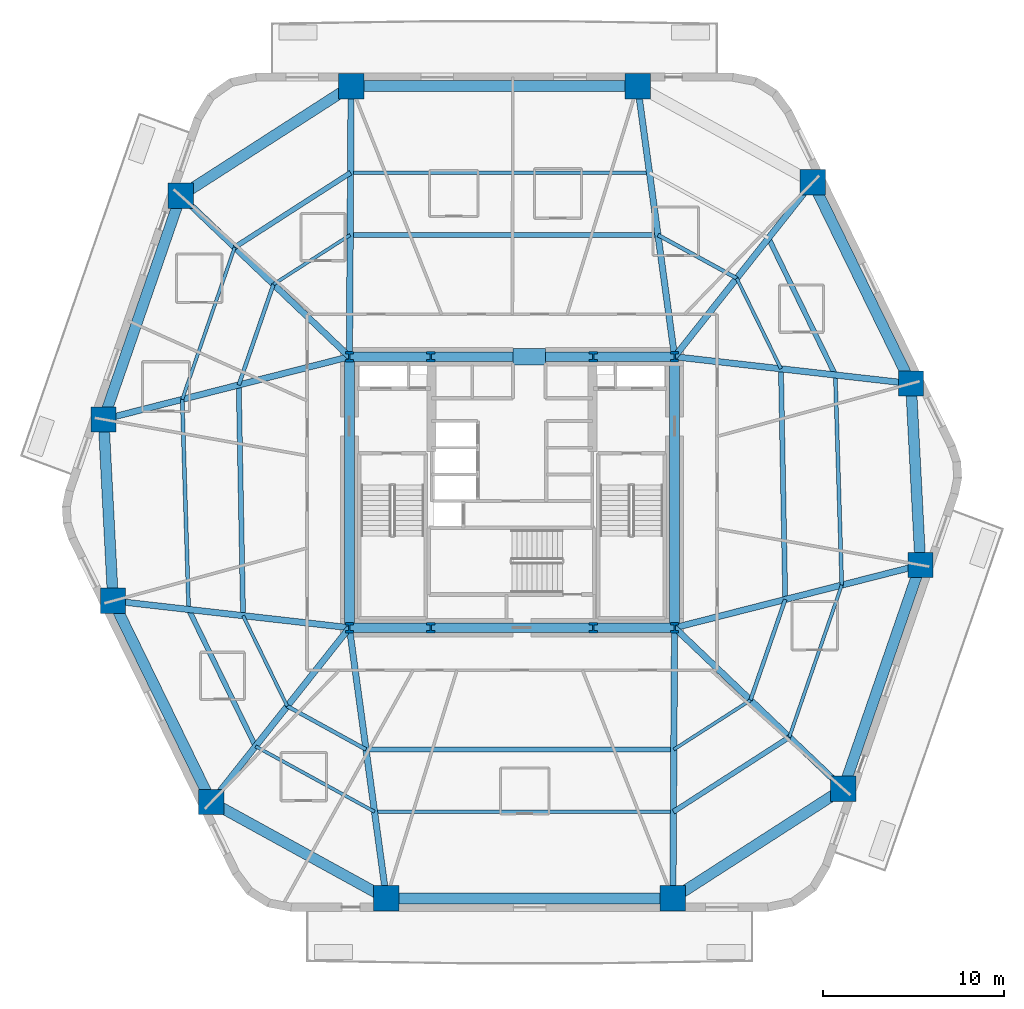
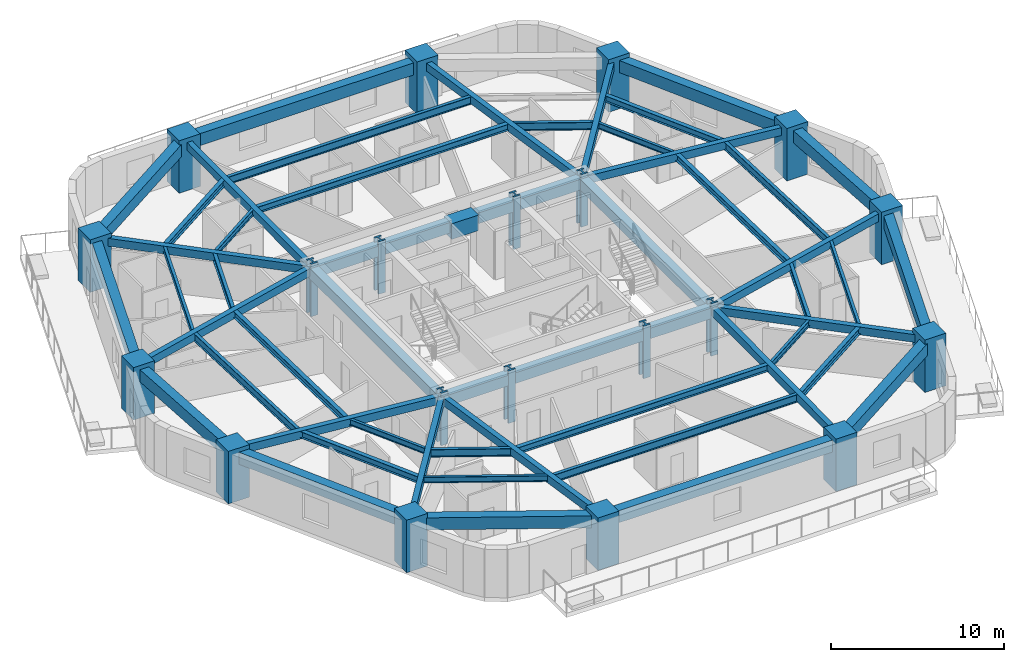
# One storey, part 1 of 10: 55 beams, 20 columns.
"""IFC4 building model written with IfcOpenShell, lengths in metres."""

from ifc_helpers import new_model, si_unit, direction, frame, origin, origin_2d, place, context, subcontext, project, spatial, rectangle, i_section, extrude, material, material_profile, profile_set, type_object, element, save


model = new_model("IFC4")

# Units and contexts
model_context = context("Model", 3, precision=1e-05, world=origin(), true_north=direction((0.0, 1.0)))
body_context = subcontext(model_context, "Body", "Model", "MODEL_VIEW")
ifc_project = project(units=[si_unit("LENGTHUNIT", "METRE"), si_unit("AREAUNIT", "SQUARE_METRE"), si_unit("VOLUMEUNIT", "CUBIC_METRE"), si_unit("PLANEANGLEUNIT", "RADIAN"), si_unit("MASSUNIT", "GRAM", prefix="KILO")], contexts=[model_context])

# Site, building, storey
site_placement = place(None, origin())
site = spatial("IfcSite", under=ifc_project, at=site_placement, CompositionType="ELEMENT")
building_placement = place(site_placement, origin())
building = spatial("IfcBuilding", under=site, at=building_placement, Name="Kilnhurst Terrace Hotel", CompositionType="ELEMENT")
storey_placement = place(building_placement, frame((0.0, 0.0, 67.5)))
storey = spatial("IfcBuildingStorey", under=building, at=storey_placement, Name="L15", CompositionType="ELEMENT", Elevation=67.5)

# Columns
ifc_material_1 = material(Name="Concrete C80/95", Category="concrete")
ifc_material_profile_1 = material_profile(ifc_material_1, rectangle(XDim=1.39990234375, YDim=1.39990234375, at=origin_2d()), Name="RC1400X1400")
ifc_profile_set_1 = profile_set([ifc_material_profile_1], Name="Concrete C80/95")
column_type_1 = type_object("IfcColumnType", Name="COL-RC-1400", PredefinedType="COLUMN", material=ifc_profile_set_1)
for number, where, z_axis, x_axis, name in (
    (1, (-6.955078125, -22.47998046875, 0.0), (0.0, 0.0, 1.0), (1.0, 0.0, 0.0), "L15 Structural Column PC-F11"),
    (2, (8.905029296875, -22.47998046875, 0.0), (0.0, 0.0, 1.0), (1.0, 0.0, 0.0), "L15 Structural Column PC-F12"),
    (3, (18.337890625, -16.410888671875, 0.0), (0.0, 0.0, 1.0), (1.0, 0.0, 0.0), "L15 Structural Column PC-F21"),
    (4, (22.60888671875, -4.029052734375, 0.0), (0.0, 0.0, 1.0), (1.0, 0.0, 0.0), "L15 Structural Column PC-F22"),
    (5, (22.083984375, 6.013916015625, 0.0), (0.0, 0.0, 1.0), (1.0, 0.0, 0.0), "L15 Structural Column PC-F31"),
    (6, (16.64306640625, 17.152099609375, 0.0), (0.0, 0.0, 1.0), (1.0, 0.0, 0.0), "L15 Structural Column PC-F32"),
    (7, (6.955078125, 22.47998046875, 0.0), (0.0, 0.0, 1.0), (1.0, 0.0, 0.0), "L15 Structural Column PC-F41"),
    (8, (-8.905029296875, 22.47998046875, 0.0), (0.0, 0.0, 1.0), (1.0, 0.0, 0.0), "L15 Structural Column PC-F42"),
    (9, (-18.337890625, 16.410888671875, 0.0), (0.0, 0.0, 1.0), (1.0, 0.0, 0.0), "L15 Structural Column PC-F51"),
    (10, (-22.60888671875, 4.029052734375, 0.0), (0.0, 0.0, 1.0), (1.0, 0.0, 0.0), "L15 Structural Column PC-F52"),
    (11, (-22.083984375, -6.013916015625, 0.0), (0.0, 0.0, 1.0), (1.0, 0.0, 0.0), "L15 Structural Column PC-F61"),
    (12, (-16.64306640625, -17.152099609375, 0.0), (0.0, 0.0, 1.0), (1.0, 0.0, 0.0), "L15 Structural Column PC-F62"),
):
    element("IfcColumn", number, at=place(storey_placement, frame(where, z_axis=z_axis, x_axis=x_axis)), inside=storey, type_object=column_type_1, Name=name, PredefinedType="COLUMN", context=body_context, shape_type="SweptSolid", body=[
        extrude(rectangle(XDim=1.39990234375, YDim=1.39990234375, at=origin_2d()), origin(), (0.0, 0.0, 1.0), 3.699951171875),
    ])
ifc_material_2 = material(Name="Steel ASTM A992 Grade 50", Category="steel")
ifc_material_profile_2 = material_profile(ifc_material_2, i_section(OverallWidth=0.454345703125, OverallDepth=0.569091796875, WebThickness=0.077880859375, FlangeThickness=0.124755859375, at=origin_2d()), Name="W14X730")
ifc_profile_set_2 = profile_set([ifc_material_profile_2], Name="Steel ASTM A992 Grade 50")
column_type_2 = type_object("IfcColumnType", Name="COL-STL-W14X730", PredefinedType="COLUMN", material=ifc_profile_set_2)
for number, where, z_axis, x_axis, name in (
    (13, (-9.0, -7.5, 0.0), (0.0, 0.0, 1.0), (1.0, 0.0, 0.0), "L15 Structural Column CC-SW"),
    (14, (-4.5, -7.5, 0.0), (0.0, 0.0, 1.0), (1.0, 0.0, 0.0), "L15 Structural Column CC-SC1"),
    (15, (4.5, -7.5, 0.0), (0.0, 0.0, 1.0), (1.0, 0.0, 0.0), "L15 Structural Column CC-SC2"),
    (16, (9.0, -7.5, 0.0), (0.0, 0.0, 1.0), (1.0, 0.0, 0.0), "L15 Structural Column CC-SE"),
    (17, (9.0, 7.5, 0.0), (0.0, 0.0, 1.0), (1.0, 0.0, 0.0), "L15 Structural Column CC-NE"),
    (18, (4.5, 7.5, 0.0), (0.0, 0.0, 1.0), (1.0, 0.0, 0.0), "L15 Structural Column CC-NC2"),
    (19, (-4.5, 7.5, 0.0), (0.0, 0.0, 1.0), (1.0, 0.0, 0.0), "L15 Structural Column CC-NC1"),
    (20, (-9.0, 7.5, 0.0), (0.0, 0.0, 1.0), (1.0, 0.0, 0.0), "L15 Structural Column CC-NW"),
):
    element("IfcColumn", number, at=place(storey_placement, frame(where, z_axis=z_axis, x_axis=x_axis)), inside=storey, type_object=column_type_2, Name=name, PredefinedType="COLUMN", context=body_context, shape_type="SweptSolid", body=[
        extrude(i_section(OverallWidth=0.454345703125, OverallDepth=0.569091796875, WebThickness=0.077880859375, FlangeThickness=0.124755859375, at=origin_2d()), origin(), (0.0, 0.0, 1.0), 3.699951171875),
    ])

# Beams
ifc_material_3 = material(Name="Concrete C50/60", Category="concrete")
ifc_material_profile_3 = material_profile(ifc_material_3, rectangle(XDim=0.35009765625, YDim=0.550048828125, at=origin_2d()), Name="RC350X550")
ifc_profile_set_3 = profile_set([ifc_material_profile_3], Name="Concrete C50/60")
beam_type_1 = type_object("IfcBeamType", Name="BM-RAD-350X550", PredefinedType="BEAM", material=ifc_profile_set_3)
beam_1_placement = place(storey_placement, frame((-9.0, -7.5, 3.125), z_axis=(0.13525588246, -0.990810701527, 0.0), x_axis=(0.990810701527, 0.13525588246, 0.0)))
element("IfcBeam", 21, at=beam_1_placement, inside=storey, type_object=beam_type_1, Name="L15 Radial Floor Beam 1", PredefinedType="BEAM", context=body_context, shape_type="SweptSolid", body=[
    extrude(rectangle(XDim=0.35009765625, YDim=0.550048828125, at=origin_2d()), origin(), (0.0, 0.0, 1.0), 15.118896484375),
])
beam_2_placement = place(storey_placement, frame((9.0, -7.5, 3.125), z_axis=(-0.006339714179, -0.99997990381, 0.0), x_axis=(0.99997990381, -0.006339714179, 0.0)))
element("IfcBeam", 22, at=beam_2_placement, inside=storey, type_object=beam_type_1, Name="L15 Radial Floor Beam 2", PredefinedType="BEAM", context=body_context, shape_type="SweptSolid", body=[
    extrude(rectangle(XDim=0.35009765625, YDim=0.550048828125, at=origin_2d()), origin(), (0.0, 0.0, 1.0), 14.980224609375),
])
beam_3_placement = place(storey_placement, frame((9.0, -7.5, 3.125), z_axis=(0.723454302813, -0.690372270403, 0.0), x_axis=(0.690372270403, 0.723454302813, 0.0)))
element("IfcBeam", 23, at=beam_3_placement, inside=storey, type_object=beam_type_1, Name="L15 Radial Floor Beam 3", PredefinedType="BEAM", context=body_context, shape_type="SweptSolid", body=[
    extrude(rectangle(XDim=0.35009765625, YDim=0.550048828125, at=origin_2d()), origin(), (0.0, 0.0, 1.0), 12.907470703125),
])
beam_4_placement = place(storey_placement, frame((9.0, -7.5, 3.125), z_axis=(0.968980179812, 0.247138445273, 0.0), x_axis=(-0.247138445273, 0.968980179812, 0.0)))
element("IfcBeam", 24, at=beam_4_placement, inside=storey, type_object=beam_type_1, Name="L15 Radial Floor Beam 4", PredefinedType="BEAM", context=body_context, shape_type="SweptSolid", body=[
    extrude(rectangle(XDim=0.35009765625, YDim=0.550048828125, at=origin_2d()), origin(), (0.0, 0.0, 1.0), 14.04443359375),
])
beam_5_placement = place(storey_placement, frame((9.0, 7.5, 3.125), z_axis=(0.993611493249, -0.112854776075, 0.0), x_axis=(0.112854776075, 0.993611493249, 0.0)))
element("IfcBeam", 25, at=beam_5_placement, inside=storey, type_object=beam_type_1, Name="L15 Radial Floor Beam 5", PredefinedType="BEAM", context=body_context, shape_type="SweptSolid", body=[
    extrude(rectangle(XDim=0.35009765625, YDim=0.550048828125, at=origin_2d()), origin(), (0.0, 0.0, 1.0), 13.168212890625),
])
beam_6_placement = place(storey_placement, frame((9.0, 7.5, 3.125), z_axis=(0.62079385707, 0.783973843329, 0.0), x_axis=(-0.783973843329, 0.62079385707, 0.0)))
element("IfcBeam", 26, at=beam_6_placement, inside=storey, type_object=beam_type_1, Name="L15 Radial Floor Beam 6", PredefinedType="BEAM", context=body_context, shape_type="SweptSolid", body=[
    extrude(rectangle(XDim=0.35009765625, YDim=0.550048828125, at=origin_2d()), origin(), (0.0, 0.0, 1.0), 12.311767578125),
])
beam_7_placement = place(storey_placement, frame((9.0, 7.5, 3.125), z_axis=(-0.13525588246, 0.990810701527, 0.0), x_axis=(-0.990810701527, -0.13525588246, 0.0)))
element("IfcBeam", 27, at=beam_7_placement, inside=storey, type_object=beam_type_1, Name="L15 Radial Floor Beam 7", PredefinedType="BEAM", context=body_context, shape_type="SweptSolid", body=[
    extrude(rectangle(XDim=0.35009765625, YDim=0.550048828125, at=origin_2d()), origin(), (0.0, 0.0, 1.0), 15.118896484375),
])
beam_8_placement = place(storey_placement, frame((-9.0, 7.5, 3.125), z_axis=(0.006339714179, 0.99997990381, 0.0), x_axis=(-0.99997990381, 0.006339714179, 0.0)))
element("IfcBeam", 28, at=beam_8_placement, inside=storey, type_object=beam_type_1, Name="L15 Radial Floor Beam 8", PredefinedType="BEAM", context=body_context, shape_type="SweptSolid", body=[
    extrude(rectangle(XDim=0.35009765625, YDim=0.550048828125, at=origin_2d()), origin(), (0.0, 0.0, 1.0), 14.980224609375),
])
beam_9_placement = place(storey_placement, frame((-9.0, 7.5, 3.125), z_axis=(-0.723454302813, 0.690372270403, 0.0), x_axis=(-0.690372270403, -0.723454302813, 0.0)))
element("IfcBeam", 29, at=beam_9_placement, inside=storey, type_object=beam_type_1, Name="L15 Radial Floor Beam 9", PredefinedType="BEAM", context=body_context, shape_type="SweptSolid", body=[
    extrude(rectangle(XDim=0.35009765625, YDim=0.550048828125, at=origin_2d()), origin(), (0.0, 0.0, 1.0), 12.907470703125),
])
beam_10_placement = place(storey_placement, frame((-9.0, 7.5, 3.125), z_axis=(-0.968980179812, -0.247138445273, 0.0), x_axis=(0.247138445273, -0.968980179812, 0.0)))
element("IfcBeam", 30, at=beam_10_placement, inside=storey, type_object=beam_type_1, Name="L15 Radial Floor Beam 10", PredefinedType="BEAM", context=body_context, shape_type="SweptSolid", body=[
    extrude(rectangle(XDim=0.35009765625, YDim=0.550048828125, at=origin_2d()), origin(), (0.0, 0.0, 1.0), 14.04443359375),
])
beam_11_placement = place(storey_placement, frame((-9.0, -7.5, 3.125), z_axis=(-0.993611493249, 0.112854776075, 0.0), x_axis=(-0.112854776075, -0.993611493249, 0.0)))
element("IfcBeam", 31, at=beam_11_placement, inside=storey, type_object=beam_type_1, Name="L15 Radial Floor Beam 11", PredefinedType="BEAM", context=body_context, shape_type="SweptSolid", body=[
    extrude(rectangle(XDim=0.35009765625, YDim=0.550048828125, at=origin_2d()), origin(), (0.0, 0.0, 1.0), 13.168212890625),
])
beam_12_placement = place(storey_placement, frame((-9.0, -7.5, 3.125), z_axis=(-0.62079385707, -0.783973843329, 0.0), x_axis=(0.783973843329, -0.62079385707, 0.0)))
element("IfcBeam", 32, at=beam_12_placement, inside=storey, type_object=beam_type_1, Name="L15 Radial Floor Beam 12", PredefinedType="BEAM", context=body_context, shape_type="SweptSolid", body=[
    extrude(rectangle(XDim=0.35009765625, YDim=0.550048828125, at=origin_2d()), origin(), (0.0, 0.0, 1.0), 12.311767578125),
])
ifc_material_profile_4 = material_profile(ifc_material_3, rectangle(XDim=0.550048828125, YDim=0.75, at=origin_2d()), Name="RC550X750")
ifc_profile_set_4 = profile_set([ifc_material_profile_4], Name="Concrete C50/60")
beam_type_2 = type_object("IfcBeamType", Name="BM-SPN-550X750", PredefinedType="SPANDREL", material=ifc_profile_set_4)
beam_13_placement = place(storey_placement, frame((-9.0, 7.5, 3.02490234375), z_axis=(1.0, 0.0, 0.0), x_axis=(0.0, 1.0, 0.0)))
element("IfcBeam", 33, at=beam_13_placement, inside=storey, type_object=beam_type_2, Name="L15 Core Tie Beam CC-NW to CC-NC1", PredefinedType="SPANDREL", context=body_context, shape_type="SweptSolid", body=[
    extrude(rectangle(XDim=0.550048828125, YDim=0.75, at=origin_2d()), origin(), (0.0, 0.0, 1.0), 4.5),
])
beam_14_placement = place(storey_placement, frame((-4.5, 7.5, 3.02490234375), z_axis=(1.0, 0.0, 0.0), x_axis=(0.0, 1.0, 0.0)))
element("IfcBeam", 34, at=beam_14_placement, inside=storey, type_object=beam_type_2, Name="L15 Core Tie Beam CC-NC1 to CC-NC2", PredefinedType="SPANDREL", context=body_context, shape_type="SweptSolid", body=[
    extrude(rectangle(XDim=0.550048828125, YDim=0.75, at=origin_2d()), origin(), (0.0, 0.0, 1.0), 9.0),
])
for number, where, z_axis, x_axis, name in (
    (35, (4.5, 7.5, 3.02490234375), (1.0, 0.0, 0.0), (0.0, 1.0, 0.0), "L15 Core Tie Beam CC-NC2 to CC-NE"),
    (36, (-9.0, -7.5, 3.02490234375), (1.0, 0.0, 0.0), (0.0, 1.0, 0.0), "L15 Core Tie Beam CC-SW to CC-SC1"),
):
    element("IfcBeam", number, at=place(storey_placement, frame(where, z_axis=z_axis, x_axis=x_axis)), inside=storey, type_object=beam_type_2, Name=name, PredefinedType="SPANDREL", context=body_context, shape_type="SweptSolid", body=[
        extrude(rectangle(XDim=0.550048828125, YDim=0.75, at=origin_2d()), origin(), (0.0, 0.0, 1.0), 4.5),
    ])
beam_15_placement = place(storey_placement, frame((-4.5, -7.5, 3.02490234375), z_axis=(1.0, 0.0, 0.0), x_axis=(0.0, 1.0, 0.0)))
element("IfcBeam", 37, at=beam_15_placement, inside=storey, type_object=beam_type_2, Name="L15 Core Tie Beam CC-SC1 to CC-SC2", PredefinedType="SPANDREL", context=body_context, shape_type="SweptSolid", body=[
    extrude(rectangle(XDim=0.550048828125, YDim=0.75, at=origin_2d()), origin(), (0.0, 0.0, 1.0), 9.0),
])
beam_16_placement = place(storey_placement, frame((4.5, -7.5, 3.02490234375), z_axis=(1.0, 0.0, 0.0), x_axis=(0.0, 1.0, 0.0)))
element("IfcBeam", 38, at=beam_16_placement, inside=storey, type_object=beam_type_2, Name="L15 Core Tie Beam CC-SC2 to CC-SE", PredefinedType="SPANDREL", context=body_context, shape_type="SweptSolid", body=[
    extrude(rectangle(XDim=0.550048828125, YDim=0.75, at=origin_2d()), origin(), (0.0, 0.0, 1.0), 4.5),
])
for number, where, z_axis, x_axis, name in (
    (39, (-9.0, -7.5, 3.02490234375), (0.0, 1.0, 0.0), (-1.0, 0.0, 0.0), "L15 Core Tie Beam CC-SW to CC-NW"),
    (40, (9.0, -7.5, 3.02490234375), (0.0, 1.0, 0.0), (-1.0, 0.0, 0.0), "L15 Core Tie Beam CC-SE to CC-NE"),
):
    element("IfcBeam", number, at=place(storey_placement, frame(where, z_axis=z_axis, x_axis=x_axis)), inside=storey, type_object=beam_type_2, Name=name, PredefinedType="SPANDREL", context=body_context, shape_type="SweptSolid", body=[
        extrude(rectangle(XDim=0.550048828125, YDim=0.75, at=origin_2d()), origin(), (0.0, 0.0, 1.0), 15.0),
    ])
ifc_material_profile_5 = material_profile(ifc_material_3, rectangle(XDim=0.60009765625, YDim=0.85009765625, at=origin_2d()), Name="RC600X850")
ifc_profile_set_5 = profile_set([ifc_material_profile_5], Name="Concrete C50/60")
beam_type_3 = type_object("IfcBeamType", Name="BM-SPN-600X850", PredefinedType="SPANDREL", material=ifc_profile_set_5)
beam_17_placement = place(storey_placement, frame((-6.955078125, -22.47998046875, 2.97509765625), z_axis=(1.0, 0.0, 0.0), x_axis=(0.0, 1.0, 0.0)))
element("IfcBeam", 41, at=beam_17_placement, inside=storey, type_object=beam_type_3, Name="L15 Perimeter Spandrel Beam 1", PredefinedType="SPANDREL", context=body_context, shape_type="SweptSolid", body=[
    extrude(rectangle(XDim=0.60009765625, YDim=0.85009765625, at=origin_2d()), origin(), (0.0, 0.0, 1.0), 15.860107421875),
])
beam_18_placement = place(storey_placement, frame((8.905029296875, -22.47998046875, 2.97509765625), z_axis=(0.840971204873, 0.541079876335, 0.0), x_axis=(-0.541079876335, 0.840971204873, 0.0)))
element("IfcBeam", 42, at=beam_18_placement, inside=storey, type_object=beam_type_3, Name="L15 Perimeter Spandrel Beam 2", PredefinedType="SPANDREL", context=body_context, shape_type="SweptSolid", body=[
    extrude(rectangle(XDim=0.60009765625, YDim=0.85009765625, at=origin_2d()), origin(), (0.0, 0.0, 1.0), 11.216552734375),
])
beam_19_placement = place(storey_placement, frame((18.337890625, -16.410888671875, 2.97509765625), z_axis=(0.326086040191, 0.945340094565, 0.0), x_axis=(-0.945340094565, 0.326086040191, 0.0)))
element("IfcBeam", 43, at=beam_19_placement, inside=storey, type_object=beam_type_3, Name="L15 Perimeter Spandrel Beam 3", PredefinedType="SPANDREL", context=body_context, shape_type="SweptSolid", body=[
    extrude(rectangle(XDim=0.60009765625, YDim=0.85009765625, at=origin_2d()), origin(), (0.0, 0.0, 1.0), 13.09765625),
])
beam_20_placement = place(storey_placement, frame((22.60888671875, -4.029052734375, 2.97509765625), z_axis=(-0.052194414298, 0.998636942595, 0.0), x_axis=(-0.998636942595, -0.052194414298, 0.0)))
element("IfcBeam", 44, at=beam_20_placement, inside=storey, type_object=beam_type_3, Name="L15 Perimeter Spandrel Beam 4", PredefinedType="SPANDREL", context=body_context, shape_type="SweptSolid", body=[
    extrude(rectangle(XDim=0.60009765625, YDim=0.85009765625, at=origin_2d()), origin(), (0.0, 0.0, 1.0), 10.056640625),
])
beam_21_placement = place(storey_placement, frame((22.083984375, 6.013916015625, 2.97509765625), z_axis=(-0.438922573627, 0.898524888003, 0.0), x_axis=(-0.898524888003, -0.438922573627, 0.0)))
element("IfcBeam", 45, at=beam_21_placement, inside=storey, type_object=beam_type_3, Name="L15 Perimeter Spandrel Beam 5", PredefinedType="SPANDREL", context=body_context, shape_type="SweptSolid", body=[
    extrude(rectangle(XDim=0.60009765625, YDim=0.85009765625, at=origin_2d()), origin(), (0.0, 0.0, 1.0), 12.39599609375),
])
beam_22_placement = place(storey_placement, frame((6.955078125, 22.47998046875, 2.97509765625), z_axis=(-1.0, 0.0, 0.0), x_axis=(0.0, -1.0, 0.0)))
element("IfcBeam", 46, at=beam_22_placement, inside=storey, type_object=beam_type_3, Name="L15 Perimeter Spandrel Beam 7", PredefinedType="SPANDREL", context=body_context, shape_type="SweptSolid", body=[
    extrude(rectangle(XDim=0.60009765625, YDim=0.85009765625, at=origin_2d()), origin(), (0.0, 0.0, 1.0), 15.860107421875),
])
beam_23_placement = place(storey_placement, frame((-8.905029296875, 22.47998046875, 2.97509765625), z_axis=(-0.840971204873, -0.541079876335, 0.0), x_axis=(0.541079876335, -0.840971204873, 0.0)))
element("IfcBeam", 47, at=beam_23_placement, inside=storey, type_object=beam_type_3, Name="L15 Perimeter Spandrel Beam 8", PredefinedType="SPANDREL", context=body_context, shape_type="SweptSolid", body=[
    extrude(rectangle(XDim=0.60009765625, YDim=0.85009765625, at=origin_2d()), origin(), (0.0, 0.0, 1.0), 11.216552734375),
])
beam_24_placement = place(storey_placement, frame((-18.337890625, 16.410888671875, 2.97509765625), z_axis=(-0.326086040191, -0.945340094565, 0.0), x_axis=(0.945340094565, -0.326086040191, 0.0)))
element("IfcBeam", 48, at=beam_24_placement, inside=storey, type_object=beam_type_3, Name="L15 Perimeter Spandrel Beam 9", PredefinedType="SPANDREL", context=body_context, shape_type="SweptSolid", body=[
    extrude(rectangle(XDim=0.60009765625, YDim=0.85009765625, at=origin_2d()), origin(), (0.0, 0.0, 1.0), 13.09765625),
])
beam_25_placement = place(storey_placement, frame((-22.60888671875, 4.029052734375, 2.97509765625), z_axis=(0.052194414298, -0.998636942595, 0.0), x_axis=(0.998636942595, 0.052194414298, 0.0)))
element("IfcBeam", 49, at=beam_25_placement, inside=storey, type_object=beam_type_3, Name="L15 Perimeter Spandrel Beam 10", PredefinedType="SPANDREL", context=body_context, shape_type="SweptSolid", body=[
    extrude(rectangle(XDim=0.60009765625, YDim=0.85009765625, at=origin_2d()), origin(), (0.0, 0.0, 1.0), 10.056640625),
])
beam_26_placement = place(storey_placement, frame((-22.083984375, -6.013916015625, 2.97509765625), z_axis=(0.438922573627, -0.898524888003, 0.0), x_axis=(0.898524888003, 0.438922573627, 0.0)))
element("IfcBeam", 50, at=beam_26_placement, inside=storey, type_object=beam_type_3, Name="L15 Perimeter Spandrel Beam 11", PredefinedType="SPANDREL", context=body_context, shape_type="SweptSolid", body=[
    extrude(rectangle(XDim=0.60009765625, YDim=0.85009765625, at=origin_2d()), origin(), (0.0, 0.0, 1.0), 12.39599609375),
])
beam_27_placement = place(storey_placement, frame((-16.64306640625, -17.152099609375, 2.97509765625), z_axis=(0.876235488803, -0.481883147829, 0.0), x_axis=(0.481883147829, 0.876235488803, 0.0)))
element("IfcBeam", 51, at=beam_27_placement, inside=storey, type_object=beam_type_3, Name="L15 Perimeter Spandrel Beam 12", PredefinedType="SPANDREL", context=body_context, shape_type="SweptSolid", body=[
    extrude(rectangle(XDim=0.60009765625, YDim=0.85009765625, at=origin_2d()), origin(), (0.0, 0.0, 1.0), 11.056396484375),
])
ifc_material_profile_6 = material_profile(ifc_material_2, i_section(OverallWidth=0.180908203125, OverallDepth=0.417236328125, WebThickness=0.010986328125, FlangeThickness=0.018310546875, at=origin_2d()), Name="W16X57")
ifc_profile_set_6 = profile_set([ifc_material_profile_6], Name="Steel ASTM A992 Grade 50")
beam_type_4 = type_object("IfcBeamType", Name="JST-STL-W16X57", PredefinedType="JOIST", material=ifc_profile_set_6)
for number, where, z_axis, x_axis, name in (
    (52, (15.349853515625, -13.5595703125, 3.19091796875), (0.326078536201, 0.945342682961, 0.0), (-0.945342682961, 0.326078536201, 0.0), "L15 Secondary Floor Steel Joist OUT.3"),
    (53, (-15.349853515625, 13.5595703125, 3.19091796875), (-0.326078536201, -0.945342682961, 0.0), (0.945342682961, -0.326078536201, 0.0), "L15 Secondary Floor Steel Joist OUT.9"),
):
    element("IfcBeam", number, at=place(storey_placement, frame(where, z_axis=z_axis, x_axis=x_axis)), inside=storey, type_object=beam_type_4, Name=name, PredefinedType="JOIST", context=body_context, shape_type="SweptSolid", body=[
        extrude(i_section(OverallWidth=0.180908203125, OverallDepth=0.417236328125, WebThickness=0.010986328125, FlangeThickness=0.018310546875, at=origin_2d()), origin(), (0.0, 0.0, 1.0), 8.90673828125),
    ])
beam_28_placement = place(storey_placement, frame((-14.197265625, -14.0634765625, 3.19091796875), z_axis=(0.876246073632, -0.481863900334, 0.0), x_axis=(0.481863900334, 0.876246073632, 0.0)))
element("IfcBeam", 54, at=beam_28_placement, inside=storey, type_object=beam_type_4, Name="L15 Secondary Floor Steel Joist OUT.12", PredefinedType="JOIST", context=body_context, shape_type="SweptSolid", body=[
    extrude(i_section(OverallWidth=0.180908203125, OverallDepth=0.417236328125, WebThickness=0.010986328125, FlangeThickness=0.018310546875, at=origin_2d()), origin(), (0.0, 0.0, 1.0), 7.518310546875),
])
beam_29_placement = place(storey_placement, frame((8.957275390625, -14.240966796875, 3.19091796875), z_axis=(0.840988265896, 0.541053358389, 0.0), x_axis=(-0.541053358389, 0.840988265896, 0.0)))
element("IfcBeam", 55, at=beam_29_placement, inside=storey, type_object=beam_type_4, Name="L15 Secondary Floor Steel Joist IN.2", PredefinedType="JOIST", context=body_context, shape_type="SweptSolid", body=[
    extrude(i_section(OverallWidth=0.180908203125, OverallDepth=0.417236328125, WebThickness=0.010986328125, FlangeThickness=0.018310546875, at=origin_2d()), origin(), (0.0, 0.0, 1.0), 5.04736328125),
])
beam_30_placement = place(storey_placement, frame((14.8876953125, 6.831298828125, 3.19091796875), z_axis=(-0.438896112695, 0.898537813484, 0.0), x_axis=(-0.898537813484, -0.438896112695, 0.0)))
element("IfcBeam", 56, at=beam_30_placement, inside=storey, type_object=beam_type_4, Name="L15 Secondary Floor Steel Joist IN.5", PredefinedType="JOIST", context=body_context, shape_type="SweptSolid", body=[
    extrude(i_section(OverallWidth=0.180908203125, OverallDepth=0.417236328125, WebThickness=0.010986328125, FlangeThickness=0.018310546875, at=origin_2d()), origin(), (0.0, 0.0, 1.0), 5.578125),
])
beam_31_placement = place(storey_placement, frame((-8.957275390625, 14.240966796875, 3.19091796875), z_axis=(-0.840988265896, -0.541053358389, 0.0), x_axis=(0.541053358389, -0.840988265896, 0.0)))
element("IfcBeam", 57, at=beam_31_placement, inside=storey, type_object=beam_type_4, Name="L15 Secondary Floor Steel Joist IN.8", PredefinedType="JOIST", context=body_context, shape_type="SweptSolid", body=[
    extrude(i_section(OverallWidth=0.180908203125, OverallDepth=0.417236328125, WebThickness=0.010986328125, FlangeThickness=0.018310546875, at=origin_2d()), origin(), (0.0, 0.0, 1.0), 5.04736328125),
])
beam_32_placement = place(storey_placement, frame((-14.8876953125, -6.831298828125, 3.19091796875), z_axis=(0.438896112695, -0.898537813484, 0.0), x_axis=(0.898537813484, 0.438896112695, 0.0)))
element("IfcBeam", 58, at=beam_32_placement, inside=storey, type_object=beam_type_4, Name="L15 Secondary Floor Steel Joist IN.11", PredefinedType="JOIST", context=body_context, shape_type="SweptSolid", body=[
    extrude(i_section(OverallWidth=0.180908203125, OverallDepth=0.417236328125, WebThickness=0.010986328125, FlangeThickness=0.018310546875, at=origin_2d()), origin(), (0.0, 0.0, 1.0), 5.578125),
])
ifc_material_profile_7 = material_profile(ifc_material_2, i_section(OverallWidth=0.279296875, OverallDepth=0.462890625, WebThickness=0.0107421875, FlangeThickness=0.017333984375, at=origin_2d()), Name="W18X76")
ifc_profile_set_7 = profile_set([ifc_material_profile_7], Name="Steel ASTM A992 Grade 50")
beam_type_5 = type_object("IfcBeamType", Name="JST-STL-W18X76", PredefinedType="JOIST", material=ifc_profile_set_7)
beam_33_placement = place(storey_placement, frame((8.935302734375, -17.686279296875, 3.16796875), z_axis=(0.840995388529, 0.54104228714, 0.0), x_axis=(-0.54104228714, 0.840995388529, 0.0)))
element("IfcBeam", 59, at=beam_33_placement, inside=storey, type_object=beam_type_5, Name="L15 Secondary Floor Steel Joist OUT.2", PredefinedType="JOIST", context=body_context, shape_type="SweptSolid", body=[
    extrude(i_section(OverallWidth=0.279296875, OverallDepth=0.462890625, WebThickness=0.0107421875, FlangeThickness=0.017333984375, at=origin_2d()), origin(), (0.0, 0.0, 1.0), 7.62744140625),
])
beam_34_placement = place(storey_placement, frame((17.897216796875, 6.489501953125, 3.16796875), z_axis=(-0.438934275949, 0.898519171413, 0.0), x_axis=(-0.898519171413, -0.438934275949, 0.0)))
element("IfcBeam", 60, at=beam_34_placement, inside=storey, type_object=beam_type_5, Name="L15 Secondary Floor Steel Joist OUT.5", PredefinedType="JOIST", context=body_context, shape_type="SweptSolid", body=[
    extrude(i_section(OverallWidth=0.279296875, OverallDepth=0.462890625, WebThickness=0.0107421875, FlangeThickness=0.017333984375, at=origin_2d()), origin(), (0.0, 0.0, 1.0), 8.429443359375),
])
beam_35_placement = place(storey_placement, frame((-8.935302734375, 17.686279296875, 3.16796875), z_axis=(-0.840995388529, -0.54104228714, 0.0), x_axis=(0.54104228714, -0.840995388529, 0.0)))
element("IfcBeam", 61, at=beam_35_placement, inside=storey, type_object=beam_type_5, Name="L15 Secondary Floor Steel Joist OUT.8", PredefinedType="JOIST", context=body_context, shape_type="SweptSolid", body=[
    extrude(i_section(OverallWidth=0.279296875, OverallDepth=0.462890625, WebThickness=0.0107421875, FlangeThickness=0.017333984375, at=origin_2d()), origin(), (0.0, 0.0, 1.0), 7.62744140625),
])
beam_36_placement = place(storey_placement, frame((-17.897216796875, -6.489501953125, 3.16796875), z_axis=(0.438934275949, -0.898519171413, 0.0), x_axis=(0.898519171413, 0.438934275949, 0.0)))
element("IfcBeam", 62, at=beam_36_placement, inside=storey, type_object=beam_type_5, Name="L15 Secondary Floor Steel Joist OUT.11", PredefinedType="JOIST", context=body_context, shape_type="SweptSolid", body=[
    extrude(i_section(OverallWidth=0.279296875, OverallDepth=0.462890625, WebThickness=0.0107421875, FlangeThickness=0.017333984375, at=origin_2d()), origin(), (0.0, 0.0, 1.0), 8.429443359375),
])
beam_37_placement = place(storey_placement, frame((-8.079833984375, -14.240966796875, 3.16796875), z_axis=(1.0, 0.0, 0.0), x_axis=(0.0, 1.0, 0.0)))
element("IfcBeam", 63, at=beam_37_placement, inside=storey, type_object=beam_type_5, Name="L15 Secondary Floor Steel Joist IN.1", PredefinedType="JOIST", context=body_context, shape_type="SweptSolid", body=[
    extrude(i_section(OverallWidth=0.279296875, OverallDepth=0.462890625, WebThickness=0.0107421875, FlangeThickness=0.017333984375, at=origin_2d()), origin(), (0.0, 0.0, 1.0), 17.037109375),
])
beam_38_placement = place(storey_placement, frame((15.1240234375, -5.93798828125, 3.16796875), z_axis=(-0.018504373716, 0.999828779418, 0.0), x_axis=(-0.999828779418, -0.018504373716, 0.0)))
element("IfcBeam", 64, at=beam_38_placement, inside=storey, type_object=beam_type_5, Name="L15 Secondary Floor Steel Joist IN.4", PredefinedType="JOIST", context=body_context, shape_type="SweptSolid", body=[
    extrude(i_section(OverallWidth=0.279296875, OverallDepth=0.462890625, WebThickness=0.0107421875, FlangeThickness=0.017333984375, at=origin_2d()), origin(), (0.0, 0.0, 1.0), 12.771484375),
])
beam_39_placement = place(storey_placement, frame((8.079833984375, 14.240966796875, 3.16796875), z_axis=(-1.0, 0.0, 0.0), x_axis=(0.0, -1.0, 0.0)))
element("IfcBeam", 65, at=beam_39_placement, inside=storey, type_object=beam_type_5, Name="L15 Secondary Floor Steel Joist IN.7", PredefinedType="JOIST", context=body_context, shape_type="SweptSolid", body=[
    extrude(i_section(OverallWidth=0.279296875, OverallDepth=0.462890625, WebThickness=0.0107421875, FlangeThickness=0.017333984375, at=origin_2d()), origin(), (0.0, 0.0, 1.0), 17.037109375),
])
beam_40_placement = place(storey_placement, frame((-15.1240234375, 5.93798828125, 3.16796875), z_axis=(0.018504373716, -0.999828779418, 0.0), x_axis=(0.999828779418, 0.018504373716, 0.0)))
element("IfcBeam", 66, at=beam_40_placement, inside=storey, type_object=beam_type_5, Name="L15 Secondary Floor Steel Joist IN.10", PredefinedType="JOIST", context=body_context, shape_type="SweptSolid", body=[
    extrude(i_section(OverallWidth=0.279296875, OverallDepth=0.462890625, WebThickness=0.0107421875, FlangeThickness=0.017333984375, at=origin_2d()), origin(), (0.0, 0.0, 1.0), 12.771484375),
])
ifc_material_profile_8 = material_profile(ifc_material_2, i_section(OverallWidth=0.2138671875, OverallDepth=0.549072265625, WebThickness=0.0146484375, FlangeThickness=0.023681640625, at=origin_2d()), Name="W21X93")
ifc_profile_set_8 = profile_set([ifc_material_profile_8], Name="Steel ASTM A992 Grade 50")
beam_type_6 = type_object("IfcBeamType", Name="JST-STL-W21X93", PredefinedType="JOIST", material=ifc_profile_set_8)
beam_41_placement = place(storey_placement, frame((-7.609375, -17.686279296875, 3.125), z_axis=(1.0, 0.0, 0.0), x_axis=(0.0, 1.0, 0.0)))
element("IfcBeam", 67, at=beam_41_placement, inside=storey, type_object=beam_type_6, Name="L15 Secondary Floor Steel Joist OUT.1", PredefinedType="JOIST", context=body_context, shape_type="SweptSolid", body=[
    extrude(i_section(OverallWidth=0.2138671875, OverallDepth=0.549072265625, WebThickness=0.0146484375, FlangeThickness=0.023681640625, at=origin_2d()), origin(), (0.0, 0.0, 1.0), 16.544677734375),
])
beam_42_placement = place(storey_placement, frame((18.254150390625, -5.1396484375, 3.125), z_axis=(-0.030678559818, 0.999529302206, 0.0), x_axis=(-0.999529302206, -0.030678559818, 0.0)))
element("IfcBeam", 68, at=beam_42_placement, inside=storey, type_object=beam_type_6, Name="L15 Secondary Floor Steel Joist OUT.4", PredefinedType="JOIST", context=body_context, shape_type="SweptSolid", body=[
    extrude(i_section(OverallWidth=0.2138671875, OverallDepth=0.549072265625, WebThickness=0.0146484375, FlangeThickness=0.023681640625, at=origin_2d()), origin(), (0.0, 0.0, 1.0), 11.634521484375),
])
beam_43_placement = place(storey_placement, frame((7.609375, 17.686279296875, 3.125), z_axis=(-1.0, 0.0, 0.0), x_axis=(0.0, -1.0, 0.0)))
element("IfcBeam", 69, at=beam_43_placement, inside=storey, type_object=beam_type_6, Name="L15 Secondary Floor Steel Joist OUT.7", PredefinedType="JOIST", context=body_context, shape_type="SweptSolid", body=[
    extrude(i_section(OverallWidth=0.2138671875, OverallDepth=0.549072265625, WebThickness=0.0146484375, FlangeThickness=0.023681640625, at=origin_2d()), origin(), (0.0, 0.0, 1.0), 16.544677734375),
])
beam_44_placement = place(storey_placement, frame((-18.254150390625, 5.1396484375, 3.125), z_axis=(0.030678559818, -0.999529302206, 0.0), x_axis=(0.999529302206, 0.030678559818, 0.0)))
element("IfcBeam", 70, at=beam_44_placement, inside=storey, type_object=beam_type_6, Name="L15 Secondary Floor Steel Joist OUT.10", PredefinedType="JOIST", context=body_context, shape_type="SweptSolid", body=[
    extrude(i_section(OverallWidth=0.2138671875, OverallDepth=0.549072265625, WebThickness=0.0146484375, FlangeThickness=0.023681640625, at=origin_2d()), origin(), (0.0, 0.0, 1.0), 11.634521484375),
])
beam_45_placement = place(storey_placement, frame((13.2021484375, -11.510009765625, 3.125), z_axis=(0.326064720391, 0.945347448358, 0.0), x_axis=(-0.945347448358, 0.326064720391, 0.0)))
element("IfcBeam", 71, at=beam_45_placement, inside=storey, type_object=beam_type_6, Name="L15 Secondary Floor Steel Joist IN.3", PredefinedType="JOIST", context=body_context, shape_type="SweptSolid", body=[
    extrude(i_section(OverallWidth=0.2138671875, OverallDepth=0.549072265625, WebThickness=0.0146484375, FlangeThickness=0.023681640625, at=origin_2d()), origin(), (0.0, 0.0, 1.0), 5.89404296875),
])
beam_46_placement = place(storey_placement, frame((12.439453125, 11.843505859375, 3.125), z_axis=(-0.876243879955, 0.481867889408, 0.0), x_axis=(-0.481867889408, -0.876243879955, 0.0)))
element("IfcBeam", 72, at=beam_46_placement, inside=storey, type_object=beam_type_6, Name="L15 Secondary Floor Steel Joist IN.6", PredefinedType="JOIST", context=body_context, shape_type="SweptSolid", body=[
    extrude(i_section(OverallWidth=0.2138671875, OverallDepth=0.549072265625, WebThickness=0.0146484375, FlangeThickness=0.023681640625, at=origin_2d()), origin(), (0.0, 0.0, 1.0), 4.975341796875),
])
beam_47_placement = place(storey_placement, frame((-13.2021484375, 11.510009765625, 3.125), z_axis=(-0.326064720391, -0.945347448358, 0.0), x_axis=(0.945347448358, -0.326064720391, 0.0)))
element("IfcBeam", 73, at=beam_47_placement, inside=storey, type_object=beam_type_6, Name="L15 Secondary Floor Steel Joist IN.9", PredefinedType="JOIST", context=body_context, shape_type="SweptSolid", body=[
    extrude(i_section(OverallWidth=0.2138671875, OverallDepth=0.549072265625, WebThickness=0.0146484375, FlangeThickness=0.023681640625, at=origin_2d()), origin(), (0.0, 0.0, 1.0), 5.89404296875),
])
beam_48_placement = place(storey_placement, frame((-12.439453125, -11.843505859375, 3.125), z_axis=(0.876243879955, -0.481867889408, 0.0), x_axis=(0.481867889408, 0.876243879955, 0.0)))
element("IfcBeam", 74, at=beam_48_placement, inside=storey, type_object=beam_type_6, Name="L15 Secondary Floor Steel Joist IN.12", PredefinedType="JOIST", context=body_context, shape_type="SweptSolid", body=[
    extrude(i_section(OverallWidth=0.2138671875, OverallDepth=0.549072265625, WebThickness=0.0146484375, FlangeThickness=0.023681640625, at=origin_2d()), origin(), (0.0, 0.0, 1.0), 4.975341796875),
])
ifc_material_profile_9 = material_profile(ifc_material_1, rectangle(XDim=0.89990234375, YDim=1.10009765625, at=origin_2d()), Name="RC900X1100")
ifc_profile_set_9 = profile_set([ifc_material_profile_9], Name="Concrete C80/95")
beam_type_7 = type_object("IfcBeamType", Name="LNT-CB-900X1100", PredefinedType="LINTEL", material=ifc_profile_set_9)
beam_49_placement = place(storey_placement, frame((0.050048828125, 7.5, 2.85009765625), z_axis=(1.0, 0.0, 0.0), x_axis=(0.0, 1.0, 0.0)))
element("IfcBeam", 75, at=beam_49_placement, inside=storey, type_object=beam_type_7, Name="L15 North Core Coupling Link Beam", PredefinedType="LINTEL", context=body_context, shape_type="SweptSolid", body=[
    extrude(rectangle(XDim=0.89990234375, YDim=1.10009765625, at=origin_2d()), origin(), (0.0, 0.0, 1.0), 1.800048828125),
])

save(model, "model.ifc")
